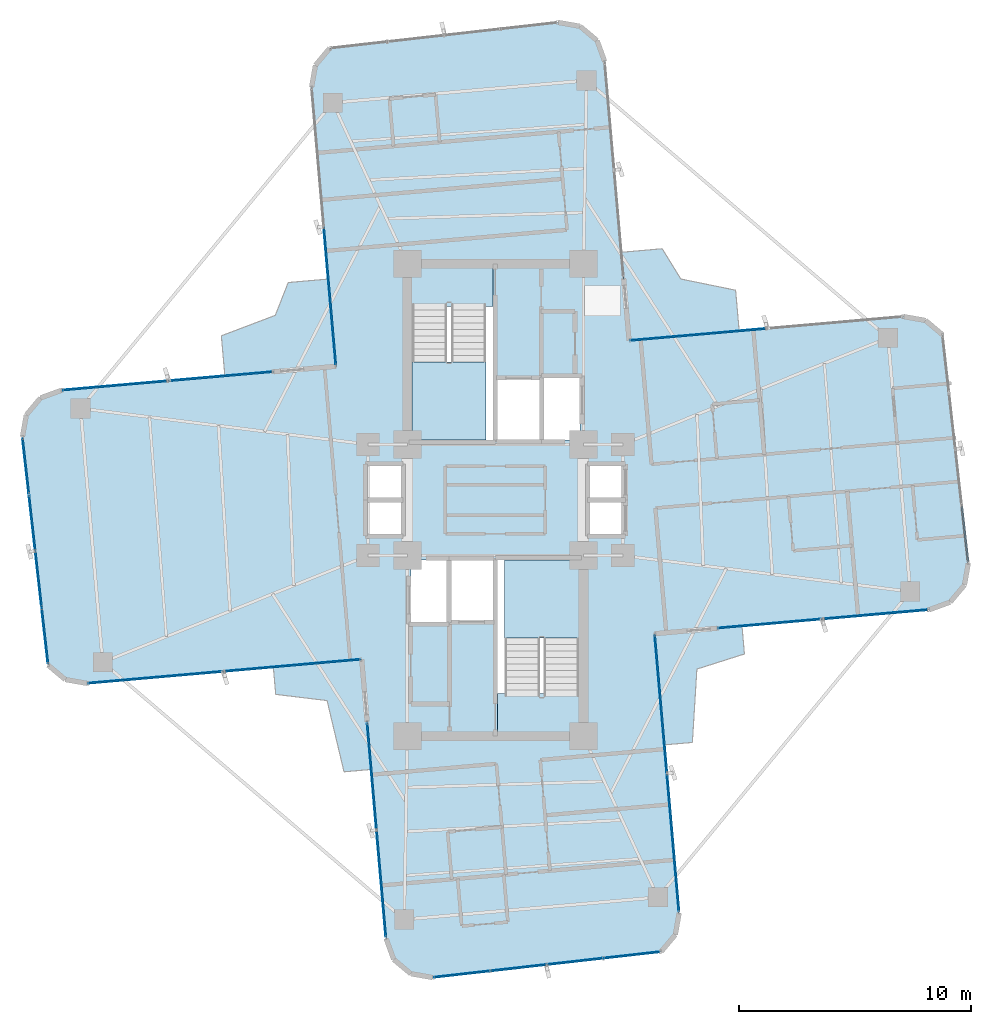
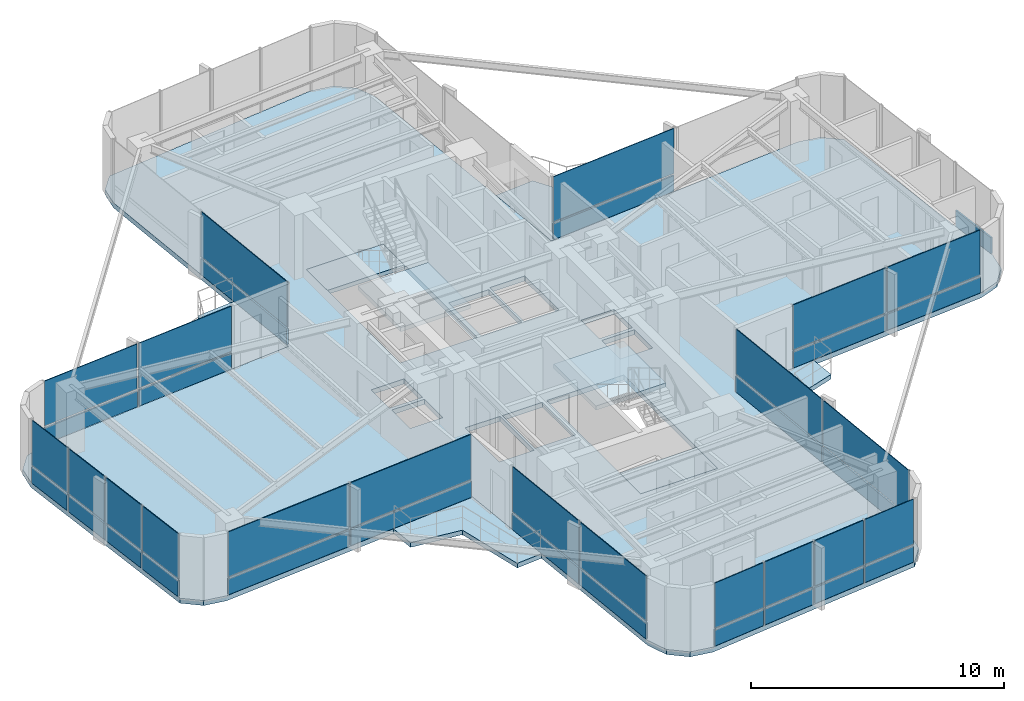
# One storey, part 19 of 24: 41 plates, 9 slabs, 12 elements without a shape of their own.
"""IFC4 building model written with IfcOpenShell, lengths in metres."""

from ifc_helpers import new_model, si_unit, direction, frame, origin, origin_2d, place, context, subcontext, project, spatial, polyline, rectangle, outline, extrude, source, transform, mapped, material, layer, layer_set, type_object, element, aggregate, save


model = new_model("IFC4")

# Units and contexts
model_context = context("Model", 3, precision=1e-05, world=origin(), true_north=direction((0.0, 1.0)))
body_context = subcontext(model_context, "Body", "Model", "MODEL_VIEW")
ifc_project = project(units=[si_unit("LENGTHUNIT", "METRE"), si_unit("AREAUNIT", "SQUARE_METRE"), si_unit("VOLUMEUNIT", "CUBIC_METRE"), si_unit("PLANEANGLEUNIT", "RADIAN"), si_unit("MASSUNIT", "GRAM", prefix="KILO")], contexts=[model_context])

# Site, building, storey
site_placement = place(None, origin())
site = spatial("IfcSite", under=ifc_project, at=site_placement, CompositionType="ELEMENT")
building_placement = place(site_placement, origin())
building = spatial("IfcBuilding", under=site, at=building_placement, Name="Sahyath Konkavel Grand Hotel", CompositionType="ELEMENT")
storey_placement = place(building_placement, frame((0.0, 0.0, 188.60009765625)))
storey = spatial("IfcBuildingStorey", under=building, at=storey_placement, Name="L52", CompositionType="ELEMENT", Elevation=188.60009765625)

# Slabs
ifc_material_1 = material(Name="Concrete C40/50", Category="concrete")
ifc_layer_1 = layer(ifc_material_1, 0.239990234375)
ifc_layer_set_1 = layer_set([ifc_layer_1], Name="Concrete C40/50")
slab_type_1 = type_object("IfcSlabType", Name="SLB-240", PredefinedType="FLOOR", material=ifc_layer_set_1)
slab_1_placement = place(storey_placement, frame((0.0, 0.0, -0.239990234375)))
element("IfcSlab", 1, at=slab_1_placement, inside=storey, type_object=slab_type_1, Name="L52 Structural Floor Slab", PredefinedType="FLOOR", context=body_context, shape_type="SweptSolid", body=[
    extrude(outline(polyline([(6.87939453125, -5.7724609375), (18.73388671875, -4.735107421875), (19.6337890625, -4.40771484375), (20.24951171875, -3.674072265625), (20.415771484375, -2.73095703125), (19.3037109375, 7.134521484375), (18.5703125, 7.75), (17.627197265625, 7.91650390625), (5.7724609375, 6.87939453125), (4.7177734375, 18.93310546875), (4.390380859375, 19.8330078125), (3.65673828125, 20.44873046875), (2.713623046875, 20.614990234375), (-7.152099609375, 19.5029296875), (-7.767578125, 18.769287109375), (-7.933837890625, 17.826416015625), (-6.87939453125, 5.7724609375), (-18.73388671875, 4.735107421875), (-19.6337890625, 4.40771484375), (-20.24951171875, 3.674072265625), (-20.415771484375, 2.73095703125), (-19.3037109375, -7.134521484375), (-18.5703125, -7.75), (-17.627197265625, -7.91650390625), (-5.7724609375, -6.87939453125), (-4.7177734375, -18.93310546875), (-4.390380859375, -19.8330078125), (-3.65673828125, -20.44873046875), (-2.713623046875, -20.614990234375), (7.152099609375, -19.5029296875), (7.767578125, -18.769287109375), (7.933837890625, -17.826416015625), (6.87939453125, -5.7724609375)]), holes=[polyline([(-3.6201171875, 2.580078125), (-0.10009765625, 2.580078125), (-0.10009765625, 10.02001953125), (-3.6201171875, 10.02001953125), (-3.6201171875, 2.580078125)]), polyline([(0.10009765625, -10.02001953125), (3.6201171875, -10.02001953125), (3.6201171875, -2.580078125), (0.10009765625, -2.580078125), (0.10009765625, -10.02001953125)]), polyline([(0.10009765625, 2.60009765625), (1.949951171875, 2.60009765625), (1.949951171875, 5.199951171875), (0.10009765625, 5.199951171875), (0.10009765625, 2.60009765625)]), polyline([(-1.949951171875, -5.199951171875), (-0.10009765625, -5.199951171875), (-0.10009765625, -2.60009765625), (-1.949951171875, -2.60009765625), (-1.949951171875, -5.199951171875)]), polyline([(2.050048828125, 2.60009765625), (3.64990234375, 2.60009765625), (3.64990234375, 5.300048828125), (2.050048828125, 5.300048828125), (2.050048828125, 2.60009765625)]), polyline([(-3.64990234375, -5.300048828125), (-2.050048828125, -5.300048828125), (-2.050048828125, -2.60009765625), (-3.64990234375, -2.60009765625), (-3.64990234375, -5.300048828125)]), polyline([(4.050048828125, 0.080078125), (5.550048828125, 0.080078125), (5.550048828125, 1.5400390625), (4.050048828125, 1.5400390625), (4.050048828125, 0.080078125)]), polyline([(4.050048828125, -1.5400390625), (5.550048828125, -1.5400390625), (5.550048828125, -0.080078125), (4.050048828125, -0.080078125), (4.050048828125, -1.5400390625)]), polyline([(-5.550048828125, 0.080078125), (-4.050048828125, 0.080078125), (-4.050048828125, 1.5400390625), (-5.550048828125, 1.5400390625), (-5.550048828125, 0.080078125)]), polyline([(-5.550048828125, -1.5400390625), (-4.050048828125, -1.5400390625), (-4.050048828125, -0.080078125), (-5.550048828125, -0.080078125), (-5.550048828125, -1.5400390625)])]), origin(), (0.0, 0.0, 1.0), 0.239990234375),
])
ifc_layer_2 = layer(ifc_material_1, 0.219970703125)
ifc_layer_set_2 = layer_set([ifc_layer_2], Name="Concrete C40/50")
slab_type_2 = type_object("IfcSlabType", Name="SLB-BALCONY-220", PredefinedType="FLOOR", material=ifc_layer_set_2)
slab_2_placement = place(storey_placement, frame((0.0, 0.0, -0.22021484375)))
element("IfcSlab", 2, at=slab_2_placement, inside=storey, type_object=slab_type_2, Name="L52 Winter-Garden Balcony NE", PredefinedType="FLOOR", context=body_context, shape_type="SweptSolid", body=[
    extrude(outline(polyline([(5.7724609375, 6.87939453125), (10.525146484375, 7.295166015625), (10.37109375, 9.057373046875), (8.005859375, 9.541015625), (7.200927734375, 10.847900390625), (5.438720703125, 10.693603515625), (5.7724609375, 6.87939453125)])), origin(), (0.0, 0.0, 1.0), 0.22021484375),
])
slab_3_placement = place(storey_placement, frame((0.0, 0.0, -0.22021484375)))
element("IfcSlab", 3, at=slab_3_placement, inside=storey, type_object=slab_type_2, Name="L52 Winter-Garden Balcony NW", PredefinedType="FLOOR", context=body_context, shape_type="SweptSolid", body=[
    extrude(outline(polyline([(-6.87939453125, 5.7724609375), (-7.208984375, 9.5400390625), (-8.944580078125, 9.38818359375), (-9.5009765625, 7.972412109375), (-11.830810546875, 7.08837890625), (-11.678955078125, 5.3525390625), (-6.87939453125, 5.7724609375)])), origin(), (0.0, 0.0, 1.0), 0.22021484375),
])
slab_4_placement = place(storey_placement, frame((0.0, 0.0, -0.22021484375)))
element("IfcSlab", 4, at=slab_4_placement, inside=storey, type_object=slab_type_2, Name="L52 Winter-Garden Balcony SW", PredefinedType="FLOOR", context=body_context, shape_type="SweptSolid", body=[
    extrude(outline(polyline([(-5.7724609375, -6.87939453125), (-9.5869140625, -7.212890625), (-9.483642578125, -8.3916015625), (-7.265869140625, -8.6591796875), (-6.534912109375, -11.735107421875), (-5.356689453125, -11.632080078125), (-5.7724609375, -6.87939453125)])), origin(), (0.0, 0.0, 1.0), 0.22021484375),
])
slab_5_placement = place(storey_placement, frame((0.0, 0.0, -0.22021484375)))
element("IfcSlab", 5, at=slab_5_placement, inside=storey, type_object=slab_type_2, Name="L52 Winter-Garden Balcony SE", PredefinedType="FLOOR", context=body_context, shape_type="SweptSolid", body=[
    extrude(outline(polyline([(6.87939453125, -5.7724609375), (7.29931640625, -10.572021484375), (8.504150390625, -10.466552734375), (8.69921875, -7.299560546875), (10.752197265625, -6.647705078125), (10.64697265625, -5.44287109375), (6.87939453125, -5.7724609375)])), origin(), (0.0, 0.0, 1.0), 0.22021484375),
])

# Stair, slab
stair_type = type_object("IfcStairType", Name="STR-ST16-335", PredefinedType="HALF_TURN_STAIR", material=ifc_material_1)
stair_1_placement = place(storey_placement, origin())
stair_1 = element("IfcStair", 6, at=stair_1_placement, inside=storey, type_object=stair_type, Name="L52 North Core Smokeproof Exit Stair ST-1", PredefinedType="HALF_TURN_STAIR")
ifc_layer_3 = layer(ifc_material_1, 0.199951171875)
ifc_layer_set_3 = layer_set([ifc_layer_3], Name="Concrete C40/50")
slab_type_3 = type_object("IfcSlabType", Name="SLB-STAIR-LND", PredefinedType="LANDING", material=ifc_layer_set_3)
slab_6_placement = place(storey_placement, frame((0.0, 0.0, 1.474853515625)))
slab_6 = element("IfcSlab", 7, at=slab_6_placement, type_object=slab_type_3, Name="ST-1 landing 1", PredefinedType="LANDING", context=body_context, shape_type="SweptSolid", body=[
    extrude(outline(polyline([(-3.60009765625, 5.9599609375), (-3.60009765625, 2.60009765625), (-0.39990234375, 2.60009765625), (-0.39990234375, 5.9599609375), (-3.60009765625, 5.9599609375)])), origin(), (0.0, 0.0, 1.0), 0.199951171875),
])
aggregate(stair_1, [slab_6])

stair_2_placement = place(storey_placement, origin())
stair_2 = element("IfcStair", 8, at=stair_2_placement, inside=storey, type_object=stair_type, Name="L52 South Core Smokeproof Exit Stair ST-2", PredefinedType="HALF_TURN_STAIR")
slab_7_placement = place(storey_placement, frame((0.0, 0.0, 1.474853515625)))
slab_7 = element("IfcSlab", 9, at=slab_7_placement, type_object=slab_type_3, Name="ST-2 landing 1", PredefinedType="LANDING", context=body_context, shape_type="SweptSolid", body=[
    extrude(outline(polyline([(3.60009765625, -5.9599609375), (3.60009765625, -2.60009765625), (0.39990234375, -2.60009765625), (0.39990234375, -5.9599609375), (3.60009765625, -5.9599609375)])), origin(), (0.0, 0.0, 1.0), 0.199951171875),
])
aggregate(stair_2, [slab_7])

# Slabs
slab_8_placement = place(storey_placement, frame((0.0, 0.0, -0.2001953125)))
element("IfcSlab", 10, at=slab_8_placement, inside=storey, type_object=slab_type_3, Name="L52 Stair ST-1 Floor Landing Slab", PredefinedType="LANDING", context=body_context, shape_type="SweptSolid", body=[
    extrude(outline(polyline([(-3.6201171875, 8.35009765625), (-0.10009765625, 8.35009765625), (-0.10009765625, 10.02001953125), (-3.6201171875, 10.02001953125), (-3.6201171875, 8.35009765625)])), origin(), (0.0, 0.0, 1.0), 0.2001953125),
])
slab_9_placement = place(storey_placement, frame((0.0, 0.0, -0.2001953125)))
element("IfcSlab", 11, at=slab_9_placement, inside=storey, type_object=slab_type_3, Name="L52 Stair ST-2 Floor Landing Slab", PredefinedType="LANDING", context=body_context, shape_type="SweptSolid", body=[
    extrude(outline(polyline([(0.10009765625, -10.02001953125), (3.6201171875, -10.02001953125), (3.6201171875, -8.35009765625), (0.10009765625, -8.35009765625), (0.10009765625, -10.02001953125)])), origin(), (0.0, 0.0, 1.0), 0.2001953125),
])

# Curtain wall, plates
ifc_material_2 = material(Name="Anodised Bronze Aluminium & Low-E Glazing", Category="aluminium")
curtain_wall_type = type_object("IfcCurtainWallType", Name="CW-ZONE3", PredefinedType="NOTDEFINED", material=ifc_material_2)
curtain_wall_1_placement = place(storey_placement, origin())
curtain_wall_1 = element("IfcCurtainWall", 12, at=curtain_wall_1_placement, inside=storey, type_object=curtain_wall_type, Name="L52 Unitised Curtain Wall F0", PredefinedType="NOTDEFINED")
ifc_material_3 = material(Name="Warm Buff Sandstone Cladding", Category="masonry")
ifc_layer_4 = layer(ifc_material_3, 0.074951171875)
ifc_layer_set_4 = layer_set([ifc_layer_4], Name="Warm Buff Sandstone Cladding")
plate_type_1 = type_object("IfcPlateType", Name="PNL-SPANDREL-STONE", PredefinedType="SHEET", material=ifc_layer_set_4)
shared_shape_1 = source(origin(), body_context, "Body", "SweptSolid", [
    extrude(rectangle(XDim=4.47998046875, YDim=0.074951171875, at=origin_2d()), origin(), (0.0, 0.0, 1.0), 0.77001953125),
])
plate_1_placement = place(storey_placement, frame((11.880126953125, -5.334716796875, 0.039794921875), z_axis=(0.0, 0.0, 1.0), x_axis=(0.996194698092, 0.087155742748, 0.0)))
plate_1 = element("IfcPlate", 13, at=plate_1_placement, type_object=plate_type_1, Name="L52 Sandstone Relief Spandrel Panel F0-0", PredefinedType="SHEET", context=body_context, shape_type="MappedRepresentation", body=[
    mapped(shared_shape_1, transform((0.0, 0.0, 0.0), scale=1.0)),
])
plate_2_placement = place(storey_placement, frame((16.4228515625, -4.9375, 0.039794921875), z_axis=(0.0, 0.0, 1.0), x_axis=(0.996194698092, 0.087155742748, 0.0)))
plate_2 = element("IfcPlate", 14, at=plate_2_placement, type_object=plate_type_1, Name="L52 Sandstone Relief Spandrel Panel F0-1", PredefinedType="SHEET", context=body_context, shape_type="MappedRepresentation", body=[
    mapped(shared_shape_1, transform((0.0, 0.0, 0.0), scale=1.0)),
])

curtain_wall_2_placement = place(storey_placement, origin())
curtain_wall_2 = element("IfcCurtainWall", 15, at=curtain_wall_2_placement, inside=storey, type_object=curtain_wall_type, Name="L52 Unitised Curtain Wall F16", PredefinedType="NOTDEFINED")
plate_3_placement = place(storey_placement, frame((-11.880126953125, 5.334716796875, 0.039794921875), z_axis=(0.0, 0.0, 1.0), x_axis=(-0.996194698092, -0.087155742748, 0.0)))
plate_3 = element("IfcPlate", 16, at=plate_3_placement, type_object=plate_type_1, Name="L52 Sandstone Relief Spandrel Panel F16-0", PredefinedType="SHEET", context=body_context, shape_type="MappedRepresentation", body=[
    mapped(shared_shape_1, transform((0.0, 0.0, 0.0), scale=1.0)),
])
plate_4_placement = place(storey_placement, frame((-16.4228515625, 4.9375, 0.039794921875), z_axis=(0.0, 0.0, 1.0), x_axis=(-0.996194698092, -0.087155742748, 0.0)))
plate_4 = element("IfcPlate", 17, at=plate_4_placement, type_object=plate_type_1, Name="L52 Sandstone Relief Spandrel Panel F16-1", PredefinedType="SHEET", context=body_context, shape_type="MappedRepresentation", body=[
    mapped(shared_shape_1, transform((0.0, 0.0, 0.0), scale=1.0)),
])

# Curtain wall, plate
curtain_wall_3_placement = place(storey_placement, origin())
curtain_wall_3 = element("IfcCurtainWall", 18, at=curtain_wall_3_placement, inside=storey, type_object=curtain_wall_type, Name="L52 Unitised Curtain Wall F4", PredefinedType="NOTDEFINED")
shared_shape_2 = source(origin(), body_context, "Body", "SweptSolid", [
    extrude(rectangle(XDim=2.382080078125, YDim=0.074951171875, at=origin_2d()), origin(), (0.0, 0.0, 1.0), 0.77001953125),
])
plate_5_placement = place(storey_placement, frame((20.2734375, -1.468017578125, 0.039794921875), z_axis=(0.0, 0.0, 1.0), x_axis=(-0.111989252568, 0.993709417943, 0.0)))
plate_5 = element("IfcPlate", 19, at=plate_5_placement, type_object=plate_type_1, Name="L52 Sandstone Relief Spandrel Panel F4-0", PredefinedType="SHEET", context=body_context, shape_type="MappedRepresentation", body=[
    mapped(shared_shape_2, transform((0.0, 0.0, 0.0), scale=1.0)),
])
aggregate(curtain_wall_3, [plate_5])

# Curtain wall, plates
curtain_wall_4_placement = place(storey_placement, origin())
curtain_wall_4 = element("IfcCurtainWall", 20, at=curtain_wall_4_placement, inside=storey, type_object=curtain_wall_type, Name="L52 Unitised Curtain Wall F20", PredefinedType="NOTDEFINED")
plate_6_placement = place(storey_placement, frame((-20.2734375, 1.468017578125, 0.039794921875), z_axis=(0.0, 0.0, 1.0), x_axis=(0.111989252568, -0.993709417943, 0.0)))
plate_6 = element("IfcPlate", 21, at=plate_6_placement, type_object=plate_type_1, Name="L52 Sandstone Relief Spandrel Panel F20-0", PredefinedType="SHEET", context=body_context, shape_type="MappedRepresentation", body=[
    mapped(shared_shape_2, transform((0.0, 0.0, 0.0), scale=1.0)),
])
plate_7_placement = place(storey_placement, frame((-19.99755859375, -0.978515625, 0.039794921875), z_axis=(0.0, 0.0, 1.0), x_axis=(0.111989252568, -0.993709417943, 0.0)))
plate_7 = element("IfcPlate", 22, at=plate_7_placement, type_object=plate_type_1, Name="L52 Sandstone Relief Spandrel Panel F20-1", PredefinedType="SHEET", context=body_context, shape_type="MappedRepresentation", body=[
    mapped(shared_shape_2, transform((0.0, 0.0, 0.0), scale=1.0)),
])
plate_8_placement = place(storey_placement, frame((-19.7216796875, -3.425048828125, 0.039794921875), z_axis=(0.0, 0.0, 1.0), x_axis=(0.111989252568, -0.993709417943, 0.0)))
plate_8 = element("IfcPlate", 23, at=plate_8_placement, type_object=plate_type_1, Name="L52 Sandstone Relief Spandrel Panel F20-2", PredefinedType="SHEET", context=body_context, shape_type="MappedRepresentation", body=[
    mapped(shared_shape_2, transform((0.0, 0.0, 0.0), scale=1.0)),
])
plate_9_placement = place(storey_placement, frame((-19.446044921875, -5.87158203125, 0.039794921875), z_axis=(0.0, 0.0, 1.0), x_axis=(0.111989252568, -0.993709417943, 0.0)))
plate_9 = element("IfcPlate", 24, at=plate_9_placement, type_object=plate_type_1, Name="L52 Sandstone Relief Spandrel Panel F20-3", PredefinedType="SHEET", context=body_context, shape_type="MappedRepresentation", body=[
    mapped(shared_shape_2, transform((0.0, 0.0, 0.0), scale=1.0)),
])

curtain_wall_5_placement = place(storey_placement, origin())
curtain_wall_5 = element("IfcCurtainWall", 25, at=curtain_wall_5_placement, inside=storey, type_object=curtain_wall_type, Name="L52 Unitised Curtain Wall F28", PredefinedType="NOTDEFINED")
plate_10_placement = place(storey_placement, frame((-1.45068359375, -20.47265625, 0.039794921875), z_axis=(0.0, 0.0, 1.0), x_axis=(0.993707463211, 0.112006596052, 0.0)))
plate_10 = element("IfcPlate", 26, at=plate_10_placement, type_object=plate_type_1, Name="L52 Sandstone Relief Spandrel Panel F28-0", PredefinedType="SHEET", context=body_context, shape_type="MappedRepresentation", body=[
    mapped(shared_shape_2, transform((0.0, 0.0, 0.0), scale=1.0)),
])
plate_11_placement = place(storey_placement, frame((0.995849609375, -20.197021484375, 0.039794921875), z_axis=(0.0, 0.0, 1.0), x_axis=(0.993707463211, 0.112006596052, 0.0)))
plate_11 = element("IfcPlate", 27, at=plate_11_placement, type_object=plate_type_1, Name="L52 Sandstone Relief Spandrel Panel F28-1", PredefinedType="SHEET", context=body_context, shape_type="MappedRepresentation", body=[
    mapped(shared_shape_2, transform((0.0, 0.0, 0.0), scale=1.0)),
])
plate_12_placement = place(storey_placement, frame((3.4423828125, -19.921142578125, 0.039794921875), z_axis=(0.0, 0.0, 1.0), x_axis=(0.993707463211, 0.112006596052, 0.0)))
plate_12 = element("IfcPlate", 28, at=plate_12_placement, type_object=plate_type_1, Name="L52 Sandstone Relief Spandrel Panel F28-2", PredefinedType="SHEET", context=body_context, shape_type="MappedRepresentation", body=[
    mapped(shared_shape_2, transform((0.0, 0.0, 0.0), scale=1.0)),
])
plate_13_placement = place(storey_placement, frame((5.888916015625, -19.6455078125, 0.039794921875), z_axis=(0.0, 0.0, 1.0), x_axis=(0.993707463211, 0.112006596052, 0.0)))
plate_13 = element("IfcPlate", 29, at=plate_13_placement, type_object=plate_type_1, Name="L52 Sandstone Relief Spandrel Panel F28-3", PredefinedType="SHEET", context=body_context, shape_type="MappedRepresentation", body=[
    mapped(shared_shape_2, transform((0.0, 0.0, 0.0), scale=1.0)),
])

# Curtain wall, plate
curtain_wall_6_placement = place(storey_placement, origin())
curtain_wall_6 = element("IfcCurtainWall", 30, at=curtain_wall_6_placement, inside=storey, type_object=curtain_wall_type, Name="L52 Unitised Curtain Wall F7", PredefinedType="NOTDEFINED")
shared_shape_3 = source(origin(), body_context, "Body", "SweptSolid", [
    extrude(rectangle(XDim=5.830078125, YDim=0.074951171875, at=origin_2d()), origin(), (0.0, 0.0, 1.0), 0.77001953125),
])
plate_14_placement = place(storey_placement, frame((8.756103515625, 7.140380859375, 0.039794921875), z_axis=(0.0, 0.0, 1.0), x_axis=(-0.996194698092, -0.087155742748, 0.0)))
plate_14 = element("IfcPlate", 31, at=plate_14_placement, type_object=plate_type_1, Name="L52 Sandstone Relief Spandrel Panel F7-1", PredefinedType="SHEET", context=body_context, shape_type="MappedRepresentation", body=[
    mapped(shared_shape_3, transform((0.0, 0.0, 0.0), scale=1.0)),
])

# Curtain wall, plates
curtain_wall_7_placement = place(storey_placement, origin())
curtain_wall_7 = element("IfcCurtainWall", 32, at=curtain_wall_7_placement, inside=storey, type_object=curtain_wall_type, Name="L52 Unitised Curtain Wall F23", PredefinedType="NOTDEFINED")
plate_15_placement = place(storey_placement, frame((-14.6435546875, -7.655517578125, 0.039794921875), z_axis=(0.0, 0.0, 1.0), x_axis=(0.996194698092, 0.087155742748, 0.0)))
plate_15 = element("IfcPlate", 33, at=plate_15_placement, type_object=plate_type_1, Name="L52 Sandstone Relief Spandrel Panel F23-0", PredefinedType="SHEET", context=body_context, shape_type="MappedRepresentation", body=[
    mapped(shared_shape_3, transform((0.0, 0.0, 0.0), scale=1.0)),
])
plate_16_placement = place(storey_placement, frame((-8.756103515625, -7.140380859375, 0.039794921875), z_axis=(0.0, 0.0, 1.0), x_axis=(0.996194698092, 0.087155742748, 0.0)))
plate_16 = element("IfcPlate", 34, at=plate_16_placement, type_object=plate_type_1, Name="L52 Sandstone Relief Spandrel Panel F23-1", PredefinedType="SHEET", context=body_context, shape_type="MappedRepresentation", body=[
    mapped(shared_shape_3, transform((0.0, 0.0, 0.0), scale=1.0)),
])

curtain_wall_8_placement = place(storey_placement, origin())
curtain_wall_8 = element("IfcCurtainWall", 35, at=curtain_wall_8_placement, inside=storey, type_object=curtain_wall_type, Name="L52 Unitised Curtain Wall F24", PredefinedType="NOTDEFINED")
shared_shape_4 = source(origin(), body_context, "Body", "SweptSolid", [
    extrude(rectangle(XDim=4.580078125, YDim=0.074951171875, at=origin_2d()), origin(), (0.0, 0.0, 1.0), 0.77001953125),
])
plate_17_placement = place(storey_placement, frame((-5.33056640625, -11.929931640625, 0.039794921875), z_axis=(0.0, 0.0, 1.0), x_axis=(0.087155742748, -0.996194698092, 0.0)))
plate_17 = element("IfcPlate", 36, at=plate_17_placement, type_object=plate_type_1, Name="L52 Sandstone Relief Spandrel Panel F24-0", PredefinedType="SHEET", context=body_context, shape_type="MappedRepresentation", body=[
    mapped(shared_shape_4, transform((0.0, 0.0, 0.0), scale=1.0)),
])
plate_18_placement = place(storey_placement, frame((-4.92431640625, -16.572265625, 0.039794921875), z_axis=(0.0, 0.0, 1.0), x_axis=(0.087155742748, -0.996194698092, 0.0)))
plate_18 = element("IfcPlate", 37, at=plate_18_placement, type_object=plate_type_1, Name="L52 Sandstone Relief Spandrel Panel F24-1", PredefinedType="SHEET", context=body_context, shape_type="MappedRepresentation", body=[
    mapped(shared_shape_4, transform((0.0, 0.0, 0.0), scale=1.0)),
])

# Curtain wall, plate
curtain_wall_9_placement = place(storey_placement, origin())
curtain_wall_9 = element("IfcCurtainWall", 38, at=curtain_wall_9_placement, inside=storey, type_object=curtain_wall_type, Name="L52 Unitised Curtain Wall F15", PredefinedType="NOTDEFINED")
shared_shape_5 = source(origin(), body_context, "Body", "SweptSolid", [
    extrude(rectangle(XDim=5.929931640625, YDim=0.074951171875, at=origin_2d()), origin(), (0.0, 0.0, 1.0), 0.77001953125),
])
plate_19_placement = place(storey_placement, frame((-7.144775390625, 8.805908203125, 0.039794921875), z_axis=(0.0, 0.0, 1.0), x_axis=(0.087155742748, -0.996194698092, 0.0)))
plate_19 = element("IfcPlate", 39, at=plate_19_placement, type_object=plate_type_1, Name="L52 Sandstone Relief Spandrel Panel F15-1", PredefinedType="SHEET", context=body_context, shape_type="MappedRepresentation", body=[
    mapped(shared_shape_5, transform((0.0, 0.0, 0.0), scale=1.0)),
])

# Curtain wall, plates
curtain_wall_10_placement = place(storey_placement, origin())
curtain_wall_10 = element("IfcCurtainWall", 40, at=curtain_wall_10_placement, inside=storey, type_object=curtain_wall_type, Name="L52 Unitised Curtain Wall F31", PredefinedType="NOTDEFINED")
plate_20_placement = place(storey_placement, frame((7.66845703125, -14.79296875, 0.039794921875), z_axis=(0.0, 0.0, 1.0), x_axis=(-0.087155742748, 0.996194698092, 0.0)))
plate_20 = element("IfcPlate", 41, at=plate_20_placement, type_object=plate_type_1, Name="L52 Sandstone Relief Spandrel Panel F31-0", PredefinedType="SHEET", context=body_context, shape_type="MappedRepresentation", body=[
    mapped(shared_shape_5, transform((0.0, 0.0, 0.0), scale=1.0)),
])
plate_21_placement = place(storey_placement, frame((7.144775390625, -8.805908203125, 0.039794921875), z_axis=(0.0, 0.0, 1.0), x_axis=(-0.087155742748, 0.996194698092, 0.0)))
plate_21 = element("IfcPlate", 42, at=plate_21_placement, type_object=plate_type_1, Name="L52 Sandstone Relief Spandrel Panel F31-1", PredefinedType="SHEET", context=body_context, shape_type="MappedRepresentation", body=[
    mapped(shared_shape_5, transform((0.0, 0.0, 0.0), scale=1.0)),
])

# Plate
ifc_material_4 = material(Name="Low-E Solar Control Double Glazing", Category="glass")
ifc_layer_5 = layer(ifc_material_4, 0.035888671875)
ifc_layer_set_5 = layer_set([ifc_layer_5], Name="Low-E Solar Control Double Glazing")
plate_type_2 = type_object("IfcPlateType", Name="PNL-VISION-LOWE", PredefinedType="CURTAIN_PANEL", material=ifc_layer_set_5)
shared_shape_6 = source(origin(), body_context, "Body", "SweptSolid", [
    extrude(rectangle(XDim=4.47998046875, YDim=0.035888671875, at=origin_2d()), origin(), (0.0, 0.0, 1.0), 2.179931640625),
])
plate_22_placement = place(storey_placement, frame((11.880126953125, -5.334716796875, 0.89013671875), z_axis=(0.0, 0.0, 1.0), x_axis=(0.996194698092, 0.087155742748, 0.0)))
plate_22 = element("IfcPlate", 43, at=plate_22_placement, type_object=plate_type_2, Name="L52 Low-E Vision Glazing Panel F0-0", PredefinedType="CURTAIN_PANEL", context=body_context, shape_type="MappedRepresentation", body=[
    mapped(shared_shape_6, transform((0.0, 0.0, 0.0), scale=1.0)),
])

plate_23_placement = place(storey_placement, frame((16.4228515625, -4.9375, 0.89013671875), z_axis=(0.0, 0.0, 1.0), x_axis=(0.996194698092, 0.087155742748, 0.0)))
plate_23 = element("IfcPlate", 44, at=plate_23_placement, type_object=plate_type_2, Name="L52 Low-E Vision Glazing Panel F0-1", PredefinedType="CURTAIN_PANEL", context=body_context, shape_type="MappedRepresentation", body=[
    mapped(shared_shape_6, transform((0.0, 0.0, 0.0), scale=1.0)),
])

aggregate(curtain_wall_1, [plate_1, plate_22, plate_2, plate_23])

plate_24_placement = place(storey_placement, frame((-11.880126953125, 5.334716796875, 0.89013671875), z_axis=(0.0, 0.0, 1.0), x_axis=(-0.996194698092, -0.087155742748, 0.0)))
plate_24 = element("IfcPlate", 45, at=plate_24_placement, type_object=plate_type_2, Name="L52 Low-E Vision Glazing Panel F16-0", PredefinedType="CURTAIN_PANEL", context=body_context, shape_type="MappedRepresentation", body=[
    mapped(shared_shape_6, transform((0.0, 0.0, 0.0), scale=1.0)),
])

plate_25_placement = place(storey_placement, frame((-16.4228515625, 4.9375, 0.89013671875), z_axis=(0.0, 0.0, 1.0), x_axis=(-0.996194698092, -0.087155742748, 0.0)))
plate_25 = element("IfcPlate", 46, at=plate_25_placement, type_object=plate_type_2, Name="L52 Low-E Vision Glazing Panel F16-1", PredefinedType="CURTAIN_PANEL", context=body_context, shape_type="MappedRepresentation", body=[
    mapped(shared_shape_6, transform((0.0, 0.0, 0.0), scale=1.0)),
])

aggregate(curtain_wall_2, [plate_3, plate_24, plate_4, plate_25])

shared_shape_7 = source(origin(), body_context, "Body", "SweptSolid", [
    extrude(rectangle(XDim=2.382080078125, YDim=0.035888671875, at=origin_2d()), origin(), (0.0, 0.0, 1.0), 2.179931640625),
])
plate_26_placement = place(storey_placement, frame((-20.2734375, 1.468017578125, 0.89013671875), z_axis=(0.0, 0.0, 1.0), x_axis=(0.111989252568, -0.993709417943, 0.0)))
plate_26 = element("IfcPlate", 47, at=plate_26_placement, type_object=plate_type_2, Name="L52 Low-E Vision Glazing Panel F20-0", PredefinedType="CURTAIN_PANEL", context=body_context, shape_type="MappedRepresentation", body=[
    mapped(shared_shape_7, transform((0.0, 0.0, 0.0), scale=1.0)),
])

plate_27_placement = place(storey_placement, frame((-19.99755859375, -0.978515625, 0.89013671875), z_axis=(0.0, 0.0, 1.0), x_axis=(0.111989252568, -0.993709417943, 0.0)))
plate_27 = element("IfcPlate", 48, at=plate_27_placement, type_object=plate_type_2, Name="L52 Low-E Vision Glazing Panel F20-1", PredefinedType="CURTAIN_PANEL", context=body_context, shape_type="MappedRepresentation", body=[
    mapped(shared_shape_7, transform((0.0, 0.0, 0.0), scale=1.0)),
])

plate_28_placement = place(storey_placement, frame((-19.7216796875, -3.425048828125, 0.89013671875), z_axis=(0.0, 0.0, 1.0), x_axis=(0.111989252568, -0.993709417943, 0.0)))
plate_28 = element("IfcPlate", 49, at=plate_28_placement, type_object=plate_type_2, Name="L52 Low-E Vision Glazing Panel F20-2", PredefinedType="CURTAIN_PANEL", context=body_context, shape_type="MappedRepresentation", body=[
    mapped(shared_shape_7, transform((0.0, 0.0, 0.0), scale=1.0)),
])

plate_29_placement = place(storey_placement, frame((-19.446044921875, -5.87158203125, 0.89013671875), z_axis=(0.0, 0.0, 1.0), x_axis=(0.111989252568, -0.993709417943, 0.0)))
plate_29 = element("IfcPlate", 50, at=plate_29_placement, type_object=plate_type_2, Name="L52 Low-E Vision Glazing Panel F20-3", PredefinedType="CURTAIN_PANEL", context=body_context, shape_type="MappedRepresentation", body=[
    mapped(shared_shape_7, transform((0.0, 0.0, 0.0), scale=1.0)),
])

aggregate(curtain_wall_4, [plate_6, plate_26, plate_7, plate_27, plate_8, plate_28, plate_9, plate_29])

plate_30_placement = place(storey_placement, frame((-1.45068359375, -20.47265625, 0.89013671875), z_axis=(0.0, 0.0, 1.0), x_axis=(0.993707463211, 0.112006596052, 0.0)))
plate_30 = element("IfcPlate", 51, at=plate_30_placement, type_object=plate_type_2, Name="L52 Low-E Vision Glazing Panel F28-0", PredefinedType="CURTAIN_PANEL", context=body_context, shape_type="MappedRepresentation", body=[
    mapped(shared_shape_7, transform((0.0, 0.0, 0.0), scale=1.0)),
])

plate_31_placement = place(storey_placement, frame((0.995849609375, -20.197021484375, 0.89013671875), z_axis=(0.0, 0.0, 1.0), x_axis=(0.993707463211, 0.112006596052, 0.0)))
plate_31 = element("IfcPlate", 52, at=plate_31_placement, type_object=plate_type_2, Name="L52 Low-E Vision Glazing Panel F28-1", PredefinedType="CURTAIN_PANEL", context=body_context, shape_type="MappedRepresentation", body=[
    mapped(shared_shape_7, transform((0.0, 0.0, 0.0), scale=1.0)),
])

plate_32_placement = place(storey_placement, frame((3.4423828125, -19.921142578125, 0.89013671875), z_axis=(0.0, 0.0, 1.0), x_axis=(0.993707463211, 0.112006596052, 0.0)))
plate_32 = element("IfcPlate", 53, at=plate_32_placement, type_object=plate_type_2, Name="L52 Low-E Vision Glazing Panel F28-2", PredefinedType="CURTAIN_PANEL", context=body_context, shape_type="MappedRepresentation", body=[
    mapped(shared_shape_7, transform((0.0, 0.0, 0.0), scale=1.0)),
])

plate_33_placement = place(storey_placement, frame((5.888916015625, -19.6455078125, 0.89013671875), z_axis=(0.0, 0.0, 1.0), x_axis=(0.993707463211, 0.112006596052, 0.0)))
plate_33 = element("IfcPlate", 54, at=plate_33_placement, type_object=plate_type_2, Name="L52 Low-E Vision Glazing Panel F28-3", PredefinedType="CURTAIN_PANEL", context=body_context, shape_type="MappedRepresentation", body=[
    mapped(shared_shape_7, transform((0.0, 0.0, 0.0), scale=1.0)),
])

aggregate(curtain_wall_5, [plate_10, plate_30, plate_11, plate_31, plate_12, plate_32, plate_13, plate_33])

shared_shape_8 = source(origin(), body_context, "Body", "SweptSolid", [
    extrude(rectangle(XDim=5.830078125, YDim=0.035888671875, at=origin_2d()), origin(), (0.0, 0.0, 1.0), 2.179931640625),
])
plate_34_placement = place(storey_placement, frame((8.756103515625, 7.140380859375, 0.89013671875), z_axis=(0.0, 0.0, 1.0), x_axis=(-0.996194698092, -0.087155742748, 0.0)))
plate_34 = element("IfcPlate", 55, at=plate_34_placement, type_object=plate_type_2, Name="L52 Low-E Vision Glazing Panel F7-1", PredefinedType="CURTAIN_PANEL", context=body_context, shape_type="MappedRepresentation", body=[
    mapped(shared_shape_8, transform((0.0, 0.0, 0.0), scale=1.0)),
])

aggregate(curtain_wall_6, [plate_14, plate_34])

plate_35_placement = place(storey_placement, frame((-14.6435546875, -7.655517578125, 0.89013671875), z_axis=(0.0, 0.0, 1.0), x_axis=(0.996194698092, 0.087155742748, 0.0)))
plate_35 = element("IfcPlate", 56, at=plate_35_placement, type_object=plate_type_2, Name="L52 Low-E Vision Glazing Panel F23-0", PredefinedType="CURTAIN_PANEL", context=body_context, shape_type="MappedRepresentation", body=[
    mapped(shared_shape_8, transform((0.0, 0.0, 0.0), scale=1.0)),
])

plate_36_placement = place(storey_placement, frame((-8.756103515625, -7.140380859375, 0.89013671875), z_axis=(0.0, 0.0, 1.0), x_axis=(0.996194698092, 0.087155742748, 0.0)))
plate_36 = element("IfcPlate", 57, at=plate_36_placement, type_object=plate_type_2, Name="L52 Low-E Vision Glazing Panel F23-1", PredefinedType="CURTAIN_PANEL", context=body_context, shape_type="MappedRepresentation", body=[
    mapped(shared_shape_8, transform((0.0, 0.0, 0.0), scale=1.0)),
])

aggregate(curtain_wall_7, [plate_15, plate_35, plate_16, plate_36])

shared_shape_9 = source(origin(), body_context, "Body", "SweptSolid", [
    extrude(rectangle(XDim=4.580078125, YDim=0.035888671875, at=origin_2d()), origin(), (0.0, 0.0, 1.0), 2.179931640625),
])
plate_37_placement = place(storey_placement, frame((-5.33056640625, -11.929931640625, 0.89013671875), z_axis=(0.0, 0.0, 1.0), x_axis=(0.087155742748, -0.996194698092, 0.0)))
plate_37 = element("IfcPlate", 58, at=plate_37_placement, type_object=plate_type_2, Name="L52 Low-E Vision Glazing Panel F24-0", PredefinedType="CURTAIN_PANEL", context=body_context, shape_type="MappedRepresentation", body=[
    mapped(shared_shape_9, transform((0.0, 0.0, 0.0), scale=1.0)),
])

plate_38_placement = place(storey_placement, frame((-4.92431640625, -16.572265625, 0.89013671875), z_axis=(0.0, 0.0, 1.0), x_axis=(0.087155742748, -0.996194698092, 0.0)))
plate_38 = element("IfcPlate", 59, at=plate_38_placement, type_object=plate_type_2, Name="L52 Low-E Vision Glazing Panel F24-1", PredefinedType="CURTAIN_PANEL", context=body_context, shape_type="MappedRepresentation", body=[
    mapped(shared_shape_9, transform((0.0, 0.0, 0.0), scale=1.0)),
])

aggregate(curtain_wall_8, [plate_17, plate_37, plate_18, plate_38])

shared_shape_10 = source(origin(), body_context, "Body", "SweptSolid", [
    extrude(rectangle(XDim=5.929931640625, YDim=0.035888671875, at=origin_2d()), origin(), (0.0, 0.0, 1.0), 2.179931640625),
])
plate_39_placement = place(storey_placement, frame((-7.144775390625, 8.805908203125, 0.89013671875), z_axis=(0.0, 0.0, 1.0), x_axis=(0.087155742748, -0.996194698092, 0.0)))
plate_39 = element("IfcPlate", 60, at=plate_39_placement, type_object=plate_type_2, Name="L52 Low-E Vision Glazing Panel F15-1", PredefinedType="CURTAIN_PANEL", context=body_context, shape_type="MappedRepresentation", body=[
    mapped(shared_shape_10, transform((0.0, 0.0, 0.0), scale=1.0)),
])

aggregate(curtain_wall_9, [plate_19, plate_39])

plate_40_placement = place(storey_placement, frame((7.66845703125, -14.79296875, 0.89013671875), z_axis=(0.0, 0.0, 1.0), x_axis=(-0.087155742748, 0.996194698092, 0.0)))
plate_40 = element("IfcPlate", 61, at=plate_40_placement, type_object=plate_type_2, Name="L52 Low-E Vision Glazing Panel F31-0", PredefinedType="CURTAIN_PANEL", context=body_context, shape_type="MappedRepresentation", body=[
    mapped(shared_shape_10, transform((0.0, 0.0, 0.0), scale=1.0)),
])

plate_41_placement = place(storey_placement, frame((7.144775390625, -8.805908203125, 0.89013671875), z_axis=(0.0, 0.0, 1.0), x_axis=(-0.087155742748, 0.996194698092, 0.0)))
plate_41 = element("IfcPlate", 62, at=plate_41_placement, type_object=plate_type_2, Name="L52 Low-E Vision Glazing Panel F31-1", PredefinedType="CURTAIN_PANEL", context=body_context, shape_type="MappedRepresentation", body=[
    mapped(shared_shape_10, transform((0.0, 0.0, 0.0), scale=1.0)),
])

aggregate(curtain_wall_10, [plate_20, plate_40, plate_21, plate_41])

save(model, "model.ifc")
